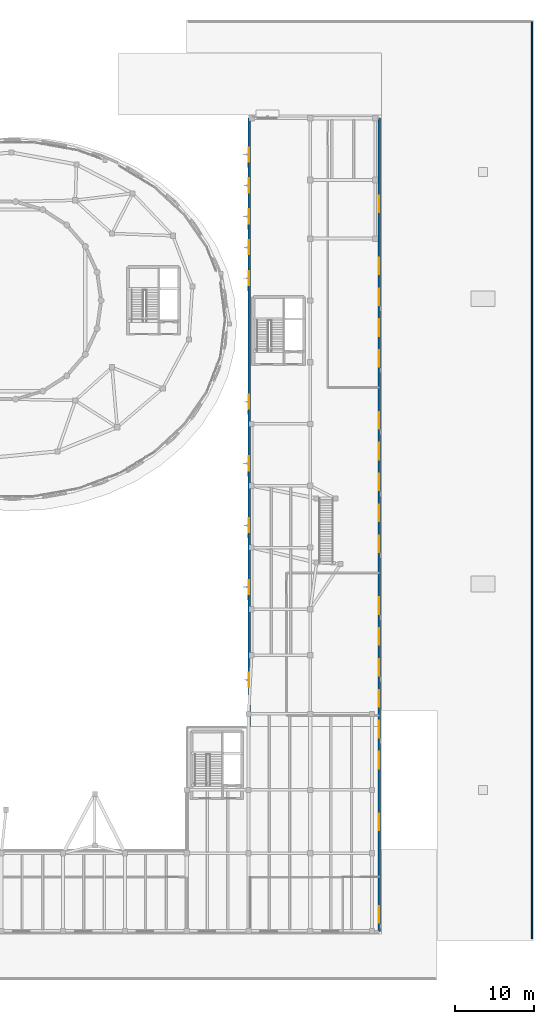
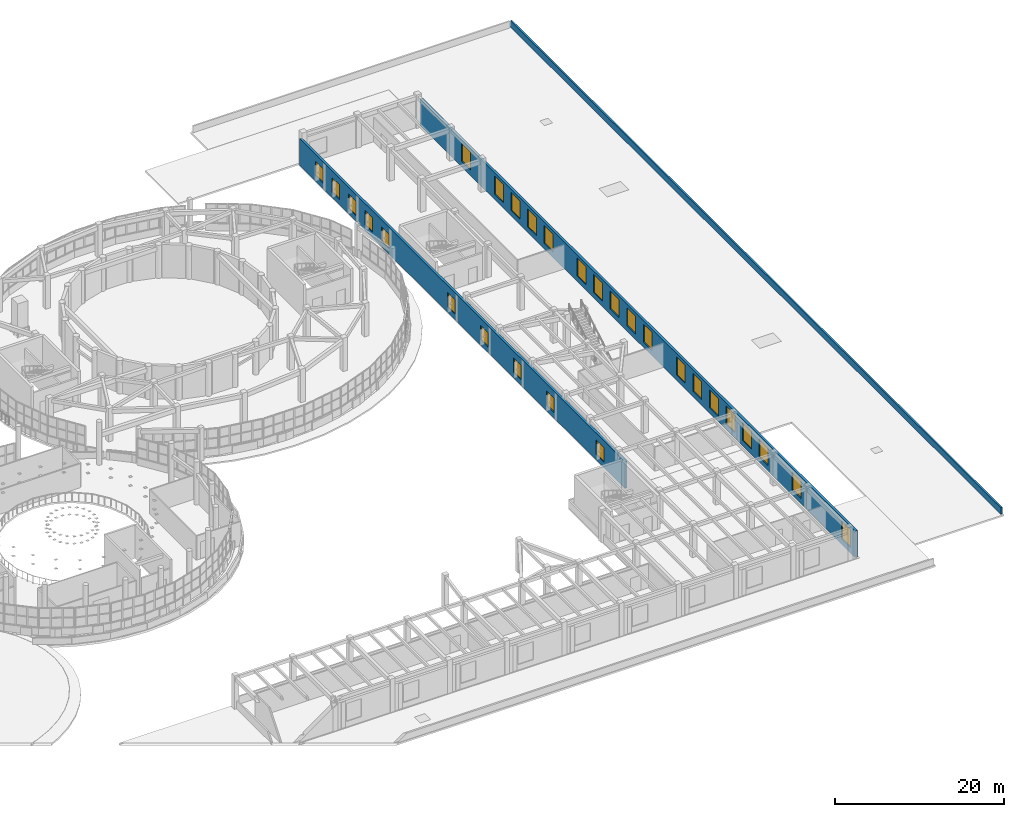
# One storey, part 95 of 105: 28 windows, 3 walls, 28 openings.
"""IFC4 building model written with IfcOpenShell, lengths in metres."""

from ifc_helpers import new_model, si_unit, direction, frame, frame_2d, origin, place, context, subcontext, project, spatial, rectangle, extrude, material, layer, layer_set, type_object, element, fill, save


model = new_model("IFC4")

# Units and contexts
model_context = context("Model", 3, precision=1e-05, world=origin(), true_north=direction((0.0, 1.0)))
body_context = subcontext(model_context, "Body", "Model", "MODEL_VIEW")
ifc_project = project(units=[si_unit("LENGTHUNIT", "METRE"), si_unit("AREAUNIT", "SQUARE_METRE"), si_unit("VOLUMEUNIT", "CUBIC_METRE"), si_unit("PLANEANGLEUNIT", "RADIAN"), si_unit("MASSUNIT", "GRAM", prefix="KILO")], contexts=[model_context])

# Site, building, storey
site_placement = place(None, origin())
site = spatial("IfcSite", under=ifc_project, at=site_placement, CompositionType="ELEMENT")
building_placement = place(site_placement, origin())
building = spatial("IfcBuilding", under=site, at=building_placement, Name="Pelvatis Terrace Science Centre", CompositionType="ELEMENT")
storey_placement = place(building_placement, frame((0.0, 0.0, 10.199951171875)))
storey = spatial("IfcBuildingStorey", under=building, at=storey_placement, Name="L02", CompositionType="ELEMENT", Elevation=10.199951171875)

# Wall, openings, windows
ifc_material_1 = material(Name="Precast concrete C35/45 architectural stone", Category="masonry")
ifc_layer_1 = layer(ifc_material_1, 0.31005859375)
ifc_layer_set_1 = layer_set([ifc_layer_1], Name="Precast concrete C35/45 architectural stone")
wall_type_1 = type_object("IfcWallType", Name="WL-EXT-PREC-310", PredefinedType="SOLIDWALL", material=ifc_layer_set_1)
wall_1_placement = place(storey_placement, frame((140.47998046875, 32.0, 0.0), z_axis=(0.0, 0.0, 1.0), x_axis=(0.0, 1.0, 0.0)))
wall_1 = element("IfcWall", 1, at=wall_1_placement, inside=storey, type_object=wall_type_1, Name="Exterior classical Art Deco facade wall EW-L02-W", PredefinedType="SOLIDWALL", context=body_context, shape_type="SweptSolid", body=[
    extrude(rectangle(XDim=76.800048828125, YDim=0.31005859375, at=frame_2d((38.39990234375, 0.0))), origin(), (0.0, 0.0, 1.0), 3.860107421875),
])
opening_1_placement = place(wall_1_placement, frame((5.0, 0.0, 0.780029296875)))
opening_1 = element("IfcOpeningElement", 2, at=opening_1_placement, cuts=wall_1, Name="Opening W-085", PredefinedType="OPENING", context=body_context, shape_type="SweptSolid", body=[
    extrude(rectangle(XDim=1.800048828125, YDim=2.10009765625, at=frame_2d((0.89990234375, 1.050048828125))), frame((0.0, 0.1650390625, 0.0), z_axis=(0.0, -1.0, 0.0), x_axis=(1.0, 0.0, 0.0)), (0.0, 0.0, 1.0), 0.330078125),
])
opening_2_placement = place(wall_1_placement, frame((16.699951171875, 0.0, 0.780029296875)))
opening_2 = element("IfcOpeningElement", 3, at=opening_2_placement, cuts=wall_1, Name="Opening W-086", PredefinedType="OPENING", context=body_context, shape_type="SweptSolid", body=[
    extrude(rectangle(XDim=1.800048828125, YDim=2.10009765625, at=frame_2d((0.89990234375, 1.050048828125))), frame((0.0, 0.1650390625, 0.0), z_axis=(0.0, -1.0, 0.0), x_axis=(1.0, 0.0, 0.0)), (0.0, 0.0, 1.0), 0.330078125),
])
opening_3_placement = place(wall_1_placement, frame((24.5, 0.0, 0.780029296875)))
opening_3 = element("IfcOpeningElement", 4, at=opening_3_placement, cuts=wall_1, Name="Opening W-087", PredefinedType="OPENING", context=body_context, shape_type="SweptSolid", body=[
    extrude(rectangle(XDim=1.800048828125, YDim=2.10009765625, at=frame_2d((0.89990234375, 1.050048828125))), frame((0.0, 0.1650390625, 0.0), z_axis=(0.0, -1.0, 0.0), x_axis=(1.0, 0.0, 0.0)), (0.0, 0.0, 1.0), 0.330078125),
])
opening_4_placement = place(wall_1_placement, frame((32.300048828125, 0.0, 0.780029296875)))
opening_4 = element("IfcOpeningElement", 5, at=opening_4_placement, cuts=wall_1, Name="Opening W-088", PredefinedType="OPENING", context=body_context, shape_type="SweptSolid", body=[
    extrude(rectangle(XDim=1.800048828125, YDim=2.10009765625, at=frame_2d((0.89990234375, 1.050048828125))), frame((0.0, 0.1650390625, 0.0), z_axis=(0.0, -1.0, 0.0), x_axis=(1.0, 0.0, 0.0)), (0.0, 0.0, 1.0), 0.330078125),
])
opening_5_placement = place(wall_1_placement, frame((40.10009765625, 0.0, 0.780029296875)))
opening_5 = element("IfcOpeningElement", 6, at=opening_5_placement, cuts=wall_1, Name="Opening W-089", PredefinedType="OPENING", context=body_context, shape_type="SweptSolid", body=[
    extrude(rectangle(XDim=1.800048828125, YDim=2.10009765625, at=frame_2d((0.89990234375, 1.050048828125))), frame((0.0, 0.1650390625, 0.0), z_axis=(0.0, -1.0, 0.0), x_axis=(1.0, 0.0, 0.0)), (0.0, 0.0, 1.0), 0.330078125),
])
opening_6_placement = place(wall_1_placement, frame((55.699951171875, 0.0, 0.780029296875)))
opening_6 = element("IfcOpeningElement", 7, at=opening_6_placement, cuts=wall_1, Name="Opening W-090", PredefinedType="OPENING", context=body_context, shape_type="SweptSolid", body=[
    extrude(rectangle(XDim=1.800048828125, YDim=2.10009765625, at=frame_2d((0.89990234375, 1.050048828125))), frame((0.0, 0.1650390625, 0.0), z_axis=(0.0, -1.0, 0.0), x_axis=(1.0, 0.0, 0.0)), (0.0, 0.0, 1.0), 0.330078125),
])
opening_7_placement = place(wall_1_placement, frame((59.60009765625, 0.0, 0.780029296875)))
opening_7 = element("IfcOpeningElement", 8, at=opening_7_placement, cuts=wall_1, Name="Opening W-091", PredefinedType="OPENING", context=body_context, shape_type="SweptSolid", body=[
    extrude(rectangle(XDim=1.800048828125, YDim=2.10009765625, at=frame_2d((0.89990234375, 1.050048828125))), frame((0.0, 0.1650390625, 0.0), z_axis=(0.0, -1.0, 0.0), x_axis=(1.0, 0.0, 0.0)), (0.0, 0.0, 1.0), 0.330078125),
])
opening_8_placement = place(wall_1_placement, frame((63.5, 0.0, 0.780029296875)))
opening_8 = element("IfcOpeningElement", 9, at=opening_8_placement, cuts=wall_1, Name="Opening W-092", PredefinedType="OPENING", context=body_context, shape_type="SweptSolid", body=[
    extrude(rectangle(XDim=1.800048828125, YDim=2.10009765625, at=frame_2d((0.89990234375, 1.050048828125))), frame((0.0, 0.1650390625, 0.0), z_axis=(0.0, -1.0, 0.0), x_axis=(1.0, 0.0, 0.0)), (0.0, 0.0, 1.0), 0.330078125),
])
opening_9_placement = place(wall_1_placement, frame((67.39990234375, 0.0, 0.780029296875)))
opening_9 = element("IfcOpeningElement", 10, at=opening_9_placement, cuts=wall_1, Name="Opening W-093", PredefinedType="OPENING", context=body_context, shape_type="SweptSolid", body=[
    extrude(rectangle(XDim=1.800048828125, YDim=2.10009765625, at=frame_2d((0.89990234375, 1.050048828125))), frame((0.0, 0.1650390625, 0.0), z_axis=(0.0, -1.0, 0.0), x_axis=(1.0, 0.0, 0.0)), (0.0, 0.0, 1.0), 0.330078125),
])
opening_10_placement = place(wall_1_placement, frame((71.300048828125, 0.0, 0.780029296875)))
opening_10 = element("IfcOpeningElement", 11, at=opening_10_placement, cuts=wall_1, Name="Opening W-094", PredefinedType="OPENING", context=body_context, shape_type="SweptSolid", body=[
    extrude(rectangle(XDim=1.800048828125, YDim=2.10009765625, at=frame_2d((0.89990234375, 1.050048828125))), frame((0.0, 0.1650390625, 0.0), z_axis=(0.0, -1.0, 0.0), x_axis=(1.0, 0.0, 0.0)), (0.0, 0.0, 1.0), 0.330078125),
])
ifc_material_2 = material(Name="Bronze-anodised aluminium and laminated low-e glass", Category="aluminium")
window_type_1 = type_object("IfcWindowType", Name="WIN-LAB-1800x2100", PartitioningType="SINGLE_PANEL", PredefinedType="WINDOW", material=ifc_material_2)
window_1_placement = place(opening_1_placement, origin())
window_1 = element("IfcWindow", 12, at=window_1_placement, inside=storey, type_object=window_type_1, Name="Art Deco facade window W-085 (L02)", OverallHeight=2.10009765625, OverallWidth=1.800048828125, PartitioningType="SINGLE_PANEL", PredefinedType="WINDOW", context=body_context, shape_type="SweptSolid", body=[
    extrude(rectangle(XDim=1.800048828125, YDim=2.10009765625, at=frame_2d((0.89990234375, 1.050048828125))), frame((0.0, 0.030029296875, 0.0), z_axis=(0.0, -1.0, 0.0), x_axis=(1.0, 0.0, 0.0)), (0.0, 0.0, 1.0), 0.06005859375),
])
fill(opening_1, window_1)
window_2_placement = place(opening_2_placement, origin())
window_2 = element("IfcWindow", 13, at=window_2_placement, inside=storey, type_object=window_type_1, Name="Art Deco facade window W-086 (L02)", OverallHeight=2.10009765625, OverallWidth=1.800048828125, PartitioningType="SINGLE_PANEL", PredefinedType="WINDOW", context=body_context, shape_type="SweptSolid", body=[
    extrude(rectangle(XDim=1.800048828125, YDim=2.10009765625, at=frame_2d((0.89990234375, 1.050048828125))), frame((0.0, 0.030029296875, 0.0), z_axis=(0.0, -1.0, 0.0), x_axis=(1.0, 0.0, 0.0)), (0.0, 0.0, 1.0), 0.06005859375),
])
fill(opening_2, window_2)
window_3_placement = place(opening_3_placement, origin())
window_3 = element("IfcWindow", 14, at=window_3_placement, inside=storey, type_object=window_type_1, Name="Art Deco facade window W-087 (L02)", OverallHeight=2.10009765625, OverallWidth=1.800048828125, PartitioningType="SINGLE_PANEL", PredefinedType="WINDOW", context=body_context, shape_type="SweptSolid", body=[
    extrude(rectangle(XDim=1.800048828125, YDim=2.10009765625, at=frame_2d((0.89990234375, 1.050048828125))), frame((0.0, 0.030029296875, 0.0), z_axis=(0.0, -1.0, 0.0), x_axis=(1.0, 0.0, 0.0)), (0.0, 0.0, 1.0), 0.06005859375),
])
fill(opening_3, window_3)
window_4_placement = place(opening_4_placement, origin())
window_4 = element("IfcWindow", 15, at=window_4_placement, inside=storey, type_object=window_type_1, Name="Art Deco facade window W-088 (L02)", OverallHeight=2.10009765625, OverallWidth=1.800048828125, PartitioningType="SINGLE_PANEL", PredefinedType="WINDOW", context=body_context, shape_type="SweptSolid", body=[
    extrude(rectangle(XDim=1.800048828125, YDim=2.10009765625, at=frame_2d((0.89990234375, 1.050048828125))), frame((0.0, 0.030029296875, 0.0), z_axis=(0.0, -1.0, 0.0), x_axis=(1.0, 0.0, 0.0)), (0.0, 0.0, 1.0), 0.06005859375),
])
fill(opening_4, window_4)
window_5_placement = place(opening_5_placement, origin())
window_5 = element("IfcWindow", 16, at=window_5_placement, inside=storey, type_object=window_type_1, Name="Art Deco facade window W-089 (L02)", OverallHeight=2.10009765625, OverallWidth=1.800048828125, PartitioningType="SINGLE_PANEL", PredefinedType="WINDOW", context=body_context, shape_type="SweptSolid", body=[
    extrude(rectangle(XDim=1.800048828125, YDim=2.10009765625, at=frame_2d((0.89990234375, 1.050048828125))), frame((0.0, 0.030029296875, 0.0), z_axis=(0.0, -1.0, 0.0), x_axis=(1.0, 0.0, 0.0)), (0.0, 0.0, 1.0), 0.06005859375),
])
fill(opening_5, window_5)
window_6_placement = place(opening_6_placement, origin())
window_6 = element("IfcWindow", 17, at=window_6_placement, inside=storey, type_object=window_type_1, Name="Art Deco facade window W-090 (L02)", OverallHeight=2.10009765625, OverallWidth=1.800048828125, PartitioningType="SINGLE_PANEL", PredefinedType="WINDOW", context=body_context, shape_type="SweptSolid", body=[
    extrude(rectangle(XDim=1.800048828125, YDim=2.10009765625, at=frame_2d((0.89990234375, 1.050048828125))), frame((0.0, 0.030029296875, 0.0), z_axis=(0.0, -1.0, 0.0), x_axis=(1.0, 0.0, 0.0)), (0.0, 0.0, 1.0), 0.06005859375),
])
fill(opening_6, window_6)
window_7_placement = place(opening_7_placement, origin())
window_7 = element("IfcWindow", 18, at=window_7_placement, inside=storey, type_object=window_type_1, Name="Art Deco facade window W-091 (L02)", OverallHeight=2.10009765625, OverallWidth=1.800048828125, PartitioningType="SINGLE_PANEL", PredefinedType="WINDOW", context=body_context, shape_type="SweptSolid", body=[
    extrude(rectangle(XDim=1.800048828125, YDim=2.10009765625, at=frame_2d((0.89990234375, 1.050048828125))), frame((0.0, 0.030029296875, 0.0), z_axis=(0.0, -1.0, 0.0), x_axis=(1.0, 0.0, 0.0)), (0.0, 0.0, 1.0), 0.06005859375),
])
fill(opening_7, window_7)
window_8_placement = place(opening_8_placement, origin())
window_8 = element("IfcWindow", 19, at=window_8_placement, inside=storey, type_object=window_type_1, Name="Art Deco facade window W-092 (L02)", OverallHeight=2.10009765625, OverallWidth=1.800048828125, PartitioningType="SINGLE_PANEL", PredefinedType="WINDOW", context=body_context, shape_type="SweptSolid", body=[
    extrude(rectangle(XDim=1.800048828125, YDim=2.10009765625, at=frame_2d((0.89990234375, 1.050048828125))), frame((0.0, 0.030029296875, 0.0), z_axis=(0.0, -1.0, 0.0), x_axis=(1.0, 0.0, 0.0)), (0.0, 0.0, 1.0), 0.06005859375),
])
fill(opening_8, window_8)
window_9_placement = place(opening_9_placement, origin())
window_9 = element("IfcWindow", 20, at=window_9_placement, inside=storey, type_object=window_type_1, Name="Art Deco facade window W-093 (L02)", OverallHeight=2.10009765625, OverallWidth=1.800048828125, PartitioningType="SINGLE_PANEL", PredefinedType="WINDOW", context=body_context, shape_type="SweptSolid", body=[
    extrude(rectangle(XDim=1.800048828125, YDim=2.10009765625, at=frame_2d((0.89990234375, 1.050048828125))), frame((0.0, 0.030029296875, 0.0), z_axis=(0.0, -1.0, 0.0), x_axis=(1.0, 0.0, 0.0)), (0.0, 0.0, 1.0), 0.06005859375),
])
fill(opening_9, window_9)
window_10_placement = place(opening_10_placement, origin())
window_10 = element("IfcWindow", 21, at=window_10_placement, inside=storey, type_object=window_type_1, Name="Art Deco facade window W-094 (L02)", OverallHeight=2.10009765625, OverallWidth=1.800048828125, PartitioningType="SINGLE_PANEL", PredefinedType="WINDOW", context=body_context, shape_type="SweptSolid", body=[
    extrude(rectangle(XDim=1.800048828125, YDim=2.10009765625, at=frame_2d((0.89990234375, 1.050048828125))), frame((0.0, 0.030029296875, 0.0), z_axis=(0.0, -1.0, 0.0), x_axis=(1.0, 0.0, 0.0)), (0.0, 0.0, 1.0), 0.06005859375),
])
fill(opening_10, window_10)

ifc_material_3 = material(Name="Precast concrete C35/45 architectural stone", Category="masonry")
ifc_layer_2 = layer(ifc_material_3, 0.324951171875)
ifc_layer_set_2 = layer_set([ifc_layer_2], Name="Precast concrete C35/45 architectural stone")
wall_type_2 = type_object("IfcWallType", Name="WL-EXT-PREC-325", PredefinedType="SOLIDWALL", material=ifc_layer_set_2)
wall_2_placement = place(storey_placement, frame((156.89990234375, 6.10009765625, 0.0), z_axis=(0.0, 0.0, 1.0), x_axis=(0.0, 1.0, 0.0)))
wall_2 = element("IfcWall", 22, at=wall_2_placement, inside=storey, type_object=wall_type_2, Name="Exterior classical Art Deco facade wall EW-L02-E", PredefinedType="SOLIDWALL", context=body_context, shape_type="SweptSolid", body=[
    extrude(rectangle(XDim=102.699951171875, YDim=0.324951171875, at=frame_2d((51.35009765625, 0.0))), origin(), (0.0, 0.0, 1.0), 3.860107421875),
])
opening_11_placement = place(wall_2_placement, frame((1.10009765625, 0.0, 0.780029296875)))
opening_11 = element("IfcOpeningElement", 23, at=opening_11_placement, cuts=wall_2, Name="Opening W-066", PredefinedType="OPENING", context=body_context, shape_type="SweptSolid", body=[
    extrude(rectangle(XDim=2.10009765625, YDim=2.60009765625, at=frame_2d((1.050048828125, 1.300048828125))), frame((0.0, 0.17236328125, 0.0), z_axis=(0.0, -1.0, 0.0), x_axis=(1.0, 0.0, 0.0)), (0.0, 0.0, 1.0), 0.344970703125),
])
opening_12_placement = place(wall_2_placement, frame((12.800048828125, 0.0, 0.780029296875)))
opening_12 = element("IfcOpeningElement", 24, at=opening_12_placement, cuts=wall_2, Name="Opening W-067", PredefinedType="OPENING", context=body_context, shape_type="SweptSolid", body=[
    extrude(rectangle(XDim=2.10009765625, YDim=2.60009765625, at=frame_2d((1.050048828125, 1.300048828125))), frame((0.0, 0.17236328125, 0.0), z_axis=(0.0, -1.0, 0.0), x_axis=(1.0, 0.0, 0.0)), (0.0, 0.0, 1.0), 0.344970703125),
])
opening_13_placement = place(wall_2_placement, frame((20.60009765625, 0.0, 0.780029296875)))
opening_13 = element("IfcOpeningElement", 25, at=opening_13_placement, cuts=wall_2, Name="Opening W-068", PredefinedType="OPENING", context=body_context, shape_type="SweptSolid", body=[
    extrude(rectangle(XDim=2.10009765625, YDim=2.60009765625, at=frame_2d((1.050048828125, 1.300048828125))), frame((0.0, 0.17236328125, 0.0), z_axis=(0.0, -1.0, 0.0), x_axis=(1.0, 0.0, 0.0)), (0.0, 0.0, 1.0), 0.344970703125),
])
opening_14_placement = place(wall_2_placement, frame((24.5, 0.0, 0.780029296875)))
opening_14 = element("IfcOpeningElement", 26, at=opening_14_placement, cuts=wall_2, Name="Opening W-069", PredefinedType="OPENING", context=body_context, shape_type="SweptSolid", body=[
    extrude(rectangle(XDim=2.10009765625, YDim=2.60009765625, at=frame_2d((1.050048828125, 1.300048828125))), frame((0.0, 0.17236328125, 0.0), z_axis=(0.0, -1.0, 0.0), x_axis=(1.0, 0.0, 0.0)), (0.0, 0.0, 1.0), 0.344970703125),
])
opening_15_placement = place(wall_2_placement, frame((28.39990234375, 0.0, 0.780029296875)))
opening_15 = element("IfcOpeningElement", 27, at=opening_15_placement, cuts=wall_2, Name="Opening W-070", PredefinedType="OPENING", context=body_context, shape_type="SweptSolid", body=[
    extrude(rectangle(XDim=2.10009765625, YDim=2.60009765625, at=frame_2d((1.050048828125, 1.300048828125))), frame((0.0, 0.17236328125, 0.0), z_axis=(0.0, -1.0, 0.0), x_axis=(1.0, 0.0, 0.0)), (0.0, 0.0, 1.0), 0.344970703125),
])
opening_16_placement = place(wall_2_placement, frame((32.300048828125, 0.0, 0.780029296875)))
opening_16 = element("IfcOpeningElement", 28, at=opening_16_placement, cuts=wall_2, Name="Opening W-071", PredefinedType="OPENING", context=body_context, shape_type="SweptSolid", body=[
    extrude(rectangle(XDim=2.10009765625, YDim=2.60009765625, at=frame_2d((1.050048828125, 1.300048828125))), frame((0.0, 0.17236328125, 0.0), z_axis=(0.0, -1.0, 0.0), x_axis=(1.0, 0.0, 0.0)), (0.0, 0.0, 1.0), 0.344970703125),
])
opening_17_placement = place(wall_2_placement, frame((36.199951171875, 0.0, 0.780029296875)))
opening_17 = element("IfcOpeningElement", 29, at=opening_17_placement, cuts=wall_2, Name="Opening W-072", PredefinedType="OPENING", context=body_context, shape_type="SweptSolid", body=[
    extrude(rectangle(XDim=2.10009765625, YDim=2.60009765625, at=frame_2d((1.050048828125, 1.300048828125))), frame((0.0, 0.17236328125, 0.0), z_axis=(0.0, -1.0, 0.0), x_axis=(1.0, 0.0, 0.0)), (0.0, 0.0, 1.0), 0.344970703125),
])
opening_18_placement = place(wall_2_placement, frame((40.10009765625, 0.0, 0.780029296875)))
opening_18 = element("IfcOpeningElement", 30, at=opening_18_placement, cuts=wall_2, Name="Opening W-073", PredefinedType="OPENING", context=body_context, shape_type="SweptSolid", body=[
    extrude(rectangle(XDim=2.10009765625, YDim=2.60009765625, at=frame_2d((1.050048828125, 1.300048828125))), frame((0.0, 0.17236328125, 0.0), z_axis=(0.0, -1.0, 0.0), x_axis=(1.0, 0.0, 0.0)), (0.0, 0.0, 1.0), 0.344970703125),
])
opening_19_placement = place(wall_2_placement, frame((47.89990234375, 0.0, 0.780029296875)))
opening_19 = element("IfcOpeningElement", 31, at=opening_19_placement, cuts=wall_2, Name="Opening W-074", PredefinedType="OPENING", context=body_context, shape_type="SweptSolid", body=[
    extrude(rectangle(XDim=2.10009765625, YDim=2.60009765625, at=frame_2d((1.050048828125, 1.300048828125))), frame((0.0, 0.17236328125, 0.0), z_axis=(0.0, -1.0, 0.0), x_axis=(1.0, 0.0, 0.0)), (0.0, 0.0, 1.0), 0.344970703125),
])
opening_20_placement = place(wall_2_placement, frame((51.800048828125, 0.0, 0.780029296875)))
opening_20 = element("IfcOpeningElement", 32, at=opening_20_placement, cuts=wall_2, Name="Opening W-075", PredefinedType="OPENING", context=body_context, shape_type="SweptSolid", body=[
    extrude(rectangle(XDim=2.10009765625, YDim=2.60009765625, at=frame_2d((1.050048828125, 1.300048828125))), frame((0.0, 0.17236328125, 0.0), z_axis=(0.0, -1.0, 0.0), x_axis=(1.0, 0.0, 0.0)), (0.0, 0.0, 1.0), 0.344970703125),
])
opening_21_placement = place(wall_2_placement, frame((55.699951171875, 0.0, 0.780029296875)))
opening_21 = element("IfcOpeningElement", 33, at=opening_21_placement, cuts=wall_2, Name="Opening W-076", PredefinedType="OPENING", context=body_context, shape_type="SweptSolid", body=[
    extrude(rectangle(XDim=2.10009765625, YDim=2.60009765625, at=frame_2d((1.050048828125, 1.300048828125))), frame((0.0, 0.17236328125, 0.0), z_axis=(0.0, -1.0, 0.0), x_axis=(1.0, 0.0, 0.0)), (0.0, 0.0, 1.0), 0.344970703125),
])
opening_22_placement = place(wall_2_placement, frame((59.60009765625, 0.0, 0.780029296875)))
opening_22 = element("IfcOpeningElement", 34, at=opening_22_placement, cuts=wall_2, Name="Opening W-077", PredefinedType="OPENING", context=body_context, shape_type="SweptSolid", body=[
    extrude(rectangle(XDim=2.10009765625, YDim=2.60009765625, at=frame_2d((1.050048828125, 1.300048828125))), frame((0.0, 0.17236328125, 0.0), z_axis=(0.0, -1.0, 0.0), x_axis=(1.0, 0.0, 0.0)), (0.0, 0.0, 1.0), 0.344970703125),
])
opening_23_placement = place(wall_2_placement, frame((63.5, 0.0, 0.780029296875)))
opening_23 = element("IfcOpeningElement", 35, at=opening_23_placement, cuts=wall_2, Name="Opening W-078", PredefinedType="OPENING", context=body_context, shape_type="SweptSolid", body=[
    extrude(rectangle(XDim=2.10009765625, YDim=2.60009765625, at=frame_2d((1.050048828125, 1.300048828125))), frame((0.0, 0.17236328125, 0.0), z_axis=(0.0, -1.0, 0.0), x_axis=(1.0, 0.0, 0.0)), (0.0, 0.0, 1.0), 0.344970703125),
])
opening_24_placement = place(wall_2_placement, frame((71.300048828125, 0.0, 0.780029296875)))
opening_24 = element("IfcOpeningElement", 36, at=opening_24_placement, cuts=wall_2, Name="Opening W-079", PredefinedType="OPENING", context=body_context, shape_type="SweptSolid", body=[
    extrude(rectangle(XDim=2.10009765625, YDim=2.60009765625, at=frame_2d((1.050048828125, 1.300048828125))), frame((0.0, 0.17236328125, 0.0), z_axis=(0.0, -1.0, 0.0), x_axis=(1.0, 0.0, 0.0)), (0.0, 0.0, 1.0), 0.344970703125),
])
opening_25_placement = place(wall_2_placement, frame((75.199951171875, 0.0, 0.780029296875)))
opening_25 = element("IfcOpeningElement", 37, at=opening_25_placement, cuts=wall_2, Name="Opening W-080", PredefinedType="OPENING", context=body_context, shape_type="SweptSolid", body=[
    extrude(rectangle(XDim=2.10009765625, YDim=2.60009765625, at=frame_2d((1.050048828125, 1.300048828125))), frame((0.0, 0.17236328125, 0.0), z_axis=(0.0, -1.0, 0.0), x_axis=(1.0, 0.0, 0.0)), (0.0, 0.0, 1.0), 0.344970703125),
])
opening_26_placement = place(wall_2_placement, frame((79.10009765625, 0.0, 0.780029296875)))
opening_26 = element("IfcOpeningElement", 38, at=opening_26_placement, cuts=wall_2, Name="Opening W-081", PredefinedType="OPENING", context=body_context, shape_type="SweptSolid", body=[
    extrude(rectangle(XDim=2.10009765625, YDim=2.60009765625, at=frame_2d((1.050048828125, 1.300048828125))), frame((0.0, 0.17236328125, 0.0), z_axis=(0.0, -1.0, 0.0), x_axis=(1.0, 0.0, 0.0)), (0.0, 0.0, 1.0), 0.344970703125),
])
opening_27_placement = place(wall_2_placement, frame((83.0, 0.0, 0.780029296875)))
opening_27 = element("IfcOpeningElement", 39, at=opening_27_placement, cuts=wall_2, Name="Opening W-082", PredefinedType="OPENING", context=body_context, shape_type="SweptSolid", body=[
    extrude(rectangle(XDim=2.10009765625, YDim=2.60009765625, at=frame_2d((1.050048828125, 1.300048828125))), frame((0.0, 0.17236328125, 0.0), z_axis=(0.0, -1.0, 0.0), x_axis=(1.0, 0.0, 0.0)), (0.0, 0.0, 1.0), 0.344970703125),
])
opening_28_placement = place(wall_2_placement, frame((90.800048828125, 0.0, 0.780029296875)))
opening_28 = element("IfcOpeningElement", 40, at=opening_28_placement, cuts=wall_2, Name="Opening W-083", PredefinedType="OPENING", context=body_context, shape_type="SweptSolid", body=[
    extrude(rectangle(XDim=2.10009765625, YDim=2.60009765625, at=frame_2d((1.050048828125, 1.300048828125))), frame((0.0, 0.17236328125, 0.0), z_axis=(0.0, -1.0, 0.0), x_axis=(1.0, 0.0, 0.0)), (0.0, 0.0, 1.0), 0.344970703125),
])
ifc_material_4 = material(Name="Bronze-anodised aluminium and laminated low-e glass", Category="aluminium")
window_type_2 = type_object("IfcWindowType", Name="WIN-AD-2100x2600", PartitioningType="SINGLE_PANEL", PredefinedType="WINDOW", material=ifc_material_4)
window_11_placement = place(opening_11_placement, origin())
window_11 = element("IfcWindow", 41, at=window_11_placement, inside=storey, type_object=window_type_2, Name="Art Deco facade window W-066 (L02)", OverallHeight=2.60009765625, OverallWidth=2.10009765625, PartitioningType="SINGLE_PANEL", PredefinedType="WINDOW", context=body_context, shape_type="SweptSolid", body=[
    extrude(rectangle(XDim=2.10009765625, YDim=2.60009765625, at=frame_2d((1.050048828125, 1.300048828125))), frame((0.0, 0.030029296875, 0.0), z_axis=(0.0, -1.0, 0.0), x_axis=(1.0, 0.0, 0.0)), (0.0, 0.0, 1.0), 0.06005859375),
])
fill(opening_11, window_11)
window_12_placement = place(opening_12_placement, origin())
window_12 = element("IfcWindow", 42, at=window_12_placement, inside=storey, type_object=window_type_2, Name="Art Deco facade window W-067 (L02)", OverallHeight=2.60009765625, OverallWidth=2.10009765625, PartitioningType="SINGLE_PANEL", PredefinedType="WINDOW", context=body_context, shape_type="SweptSolid", body=[
    extrude(rectangle(XDim=2.10009765625, YDim=2.60009765625, at=frame_2d((1.050048828125, 1.300048828125))), frame((0.0, 0.030029296875, 0.0), z_axis=(0.0, -1.0, 0.0), x_axis=(1.0, 0.0, 0.0)), (0.0, 0.0, 1.0), 0.06005859375),
])
fill(opening_12, window_12)
window_13_placement = place(opening_13_placement, origin())
window_13 = element("IfcWindow", 43, at=window_13_placement, inside=storey, type_object=window_type_2, Name="Art Deco facade window W-068 (L02)", OverallHeight=2.60009765625, OverallWidth=2.10009765625, PartitioningType="SINGLE_PANEL", PredefinedType="WINDOW", context=body_context, shape_type="SweptSolid", body=[
    extrude(rectangle(XDim=2.10009765625, YDim=2.60009765625, at=frame_2d((1.050048828125, 1.300048828125))), frame((0.0, 0.030029296875, 0.0), z_axis=(0.0, -1.0, 0.0), x_axis=(1.0, 0.0, 0.0)), (0.0, 0.0, 1.0), 0.06005859375),
])
fill(opening_13, window_13)
window_14_placement = place(opening_14_placement, origin())
window_14 = element("IfcWindow", 44, at=window_14_placement, inside=storey, type_object=window_type_2, Name="Art Deco facade window W-069 (L02)", OverallHeight=2.60009765625, OverallWidth=2.10009765625, PartitioningType="SINGLE_PANEL", PredefinedType="WINDOW", context=body_context, shape_type="SweptSolid", body=[
    extrude(rectangle(XDim=2.10009765625, YDim=2.60009765625, at=frame_2d((1.050048828125, 1.300048828125))), frame((0.0, 0.030029296875, 0.0), z_axis=(0.0, -1.0, 0.0), x_axis=(1.0, 0.0, 0.0)), (0.0, 0.0, 1.0), 0.06005859375),
])
fill(opening_14, window_14)
window_15_placement = place(opening_15_placement, origin())
window_15 = element("IfcWindow", 45, at=window_15_placement, inside=storey, type_object=window_type_2, Name="Art Deco facade window W-070 (L02)", OverallHeight=2.60009765625, OverallWidth=2.10009765625, PartitioningType="SINGLE_PANEL", PredefinedType="WINDOW", context=body_context, shape_type="SweptSolid", body=[
    extrude(rectangle(XDim=2.10009765625, YDim=2.60009765625, at=frame_2d((1.050048828125, 1.300048828125))), frame((0.0, 0.030029296875, 0.0), z_axis=(0.0, -1.0, 0.0), x_axis=(1.0, 0.0, 0.0)), (0.0, 0.0, 1.0), 0.06005859375),
])
fill(opening_15, window_15)
window_16_placement = place(opening_16_placement, origin())
window_16 = element("IfcWindow", 46, at=window_16_placement, inside=storey, type_object=window_type_2, Name="Art Deco facade window W-071 (L02)", OverallHeight=2.60009765625, OverallWidth=2.10009765625, PartitioningType="SINGLE_PANEL", PredefinedType="WINDOW", context=body_context, shape_type="SweptSolid", body=[
    extrude(rectangle(XDim=2.10009765625, YDim=2.60009765625, at=frame_2d((1.050048828125, 1.300048828125))), frame((0.0, 0.030029296875, 0.0), z_axis=(0.0, -1.0, 0.0), x_axis=(1.0, 0.0, 0.0)), (0.0, 0.0, 1.0), 0.06005859375),
])
fill(opening_16, window_16)
window_17_placement = place(opening_17_placement, origin())
window_17 = element("IfcWindow", 47, at=window_17_placement, inside=storey, type_object=window_type_2, Name="Art Deco facade window W-072 (L02)", OverallHeight=2.60009765625, OverallWidth=2.10009765625, PartitioningType="SINGLE_PANEL", PredefinedType="WINDOW", context=body_context, shape_type="SweptSolid", body=[
    extrude(rectangle(XDim=2.10009765625, YDim=2.60009765625, at=frame_2d((1.050048828125, 1.300048828125))), frame((0.0, 0.030029296875, 0.0), z_axis=(0.0, -1.0, 0.0), x_axis=(1.0, 0.0, 0.0)), (0.0, 0.0, 1.0), 0.06005859375),
])
fill(opening_17, window_17)
window_18_placement = place(opening_18_placement, origin())
window_18 = element("IfcWindow", 48, at=window_18_placement, inside=storey, type_object=window_type_2, Name="Art Deco facade window W-073 (L02)", OverallHeight=2.60009765625, OverallWidth=2.10009765625, PartitioningType="SINGLE_PANEL", PredefinedType="WINDOW", context=body_context, shape_type="SweptSolid", body=[
    extrude(rectangle(XDim=2.10009765625, YDim=2.60009765625, at=frame_2d((1.050048828125, 1.300048828125))), frame((0.0, 0.030029296875, 0.0), z_axis=(0.0, -1.0, 0.0), x_axis=(1.0, 0.0, 0.0)), (0.0, 0.0, 1.0), 0.06005859375),
])
fill(opening_18, window_18)
window_19_placement = place(opening_19_placement, origin())
window_19 = element("IfcWindow", 49, at=window_19_placement, inside=storey, type_object=window_type_2, Name="Art Deco facade window W-074 (L02)", OverallHeight=2.60009765625, OverallWidth=2.10009765625, PartitioningType="SINGLE_PANEL", PredefinedType="WINDOW", context=body_context, shape_type="SweptSolid", body=[
    extrude(rectangle(XDim=2.10009765625, YDim=2.60009765625, at=frame_2d((1.050048828125, 1.300048828125))), frame((0.0, 0.030029296875, 0.0), z_axis=(0.0, -1.0, 0.0), x_axis=(1.0, 0.0, 0.0)), (0.0, 0.0, 1.0), 0.06005859375),
])
fill(opening_19, window_19)
window_20_placement = place(opening_20_placement, origin())
window_20 = element("IfcWindow", 50, at=window_20_placement, inside=storey, type_object=window_type_2, Name="Art Deco facade window W-075 (L02)", OverallHeight=2.60009765625, OverallWidth=2.10009765625, PartitioningType="SINGLE_PANEL", PredefinedType="WINDOW", context=body_context, shape_type="SweptSolid", body=[
    extrude(rectangle(XDim=2.10009765625, YDim=2.60009765625, at=frame_2d((1.050048828125, 1.300048828125))), frame((0.0, 0.030029296875, 0.0), z_axis=(0.0, -1.0, 0.0), x_axis=(1.0, 0.0, 0.0)), (0.0, 0.0, 1.0), 0.06005859375),
])
fill(opening_20, window_20)
window_21_placement = place(opening_21_placement, origin())
window_21 = element("IfcWindow", 51, at=window_21_placement, inside=storey, type_object=window_type_2, Name="Art Deco facade window W-076 (L02)", OverallHeight=2.60009765625, OverallWidth=2.10009765625, PartitioningType="SINGLE_PANEL", PredefinedType="WINDOW", context=body_context, shape_type="SweptSolid", body=[
    extrude(rectangle(XDim=2.10009765625, YDim=2.60009765625, at=frame_2d((1.050048828125, 1.300048828125))), frame((0.0, 0.030029296875, 0.0), z_axis=(0.0, -1.0, 0.0), x_axis=(1.0, 0.0, 0.0)), (0.0, 0.0, 1.0), 0.06005859375),
])
fill(opening_21, window_21)
window_22_placement = place(opening_22_placement, origin())
window_22 = element("IfcWindow", 52, at=window_22_placement, inside=storey, type_object=window_type_2, Name="Art Deco facade window W-077 (L02)", OverallHeight=2.60009765625, OverallWidth=2.10009765625, PartitioningType="SINGLE_PANEL", PredefinedType="WINDOW", context=body_context, shape_type="SweptSolid", body=[
    extrude(rectangle(XDim=2.10009765625, YDim=2.60009765625, at=frame_2d((1.050048828125, 1.300048828125))), frame((0.0, 0.030029296875, 0.0), z_axis=(0.0, -1.0, 0.0), x_axis=(1.0, 0.0, 0.0)), (0.0, 0.0, 1.0), 0.06005859375),
])
fill(opening_22, window_22)
window_23_placement = place(opening_23_placement, origin())
window_23 = element("IfcWindow", 53, at=window_23_placement, inside=storey, type_object=window_type_2, Name="Art Deco facade window W-078 (L02)", OverallHeight=2.60009765625, OverallWidth=2.10009765625, PartitioningType="SINGLE_PANEL", PredefinedType="WINDOW", context=body_context, shape_type="SweptSolid", body=[
    extrude(rectangle(XDim=2.10009765625, YDim=2.60009765625, at=frame_2d((1.050048828125, 1.300048828125))), frame((0.0, 0.030029296875, 0.0), z_axis=(0.0, -1.0, 0.0), x_axis=(1.0, 0.0, 0.0)), (0.0, 0.0, 1.0), 0.06005859375),
])
fill(opening_23, window_23)
window_24_placement = place(opening_24_placement, origin())
window_24 = element("IfcWindow", 54, at=window_24_placement, inside=storey, type_object=window_type_2, Name="Art Deco facade window W-079 (L02)", OverallHeight=2.60009765625, OverallWidth=2.10009765625, PartitioningType="SINGLE_PANEL", PredefinedType="WINDOW", context=body_context, shape_type="SweptSolid", body=[
    extrude(rectangle(XDim=2.10009765625, YDim=2.60009765625, at=frame_2d((1.050048828125, 1.300048828125))), frame((0.0, 0.030029296875, 0.0), z_axis=(0.0, -1.0, 0.0), x_axis=(1.0, 0.0, 0.0)), (0.0, 0.0, 1.0), 0.06005859375),
])
fill(opening_24, window_24)
window_25_placement = place(opening_25_placement, origin())
window_25 = element("IfcWindow", 55, at=window_25_placement, inside=storey, type_object=window_type_2, Name="Art Deco facade window W-080 (L02)", OverallHeight=2.60009765625, OverallWidth=2.10009765625, PartitioningType="SINGLE_PANEL", PredefinedType="WINDOW", context=body_context, shape_type="SweptSolid", body=[
    extrude(rectangle(XDim=2.10009765625, YDim=2.60009765625, at=frame_2d((1.050048828125, 1.300048828125))), frame((0.0, 0.030029296875, 0.0), z_axis=(0.0, -1.0, 0.0), x_axis=(1.0, 0.0, 0.0)), (0.0, 0.0, 1.0), 0.06005859375),
])
fill(opening_25, window_25)
window_26_placement = place(opening_26_placement, origin())
window_26 = element("IfcWindow", 56, at=window_26_placement, inside=storey, type_object=window_type_2, Name="Art Deco facade window W-081 (L02)", OverallHeight=2.60009765625, OverallWidth=2.10009765625, PartitioningType="SINGLE_PANEL", PredefinedType="WINDOW", context=body_context, shape_type="SweptSolid", body=[
    extrude(rectangle(XDim=2.10009765625, YDim=2.60009765625, at=frame_2d((1.050048828125, 1.300048828125))), frame((0.0, 0.030029296875, 0.0), z_axis=(0.0, -1.0, 0.0), x_axis=(1.0, 0.0, 0.0)), (0.0, 0.0, 1.0), 0.06005859375),
])
fill(opening_26, window_26)
window_27_placement = place(opening_27_placement, origin())
window_27 = element("IfcWindow", 57, at=window_27_placement, inside=storey, type_object=window_type_2, Name="Art Deco facade window W-082 (L02)", OverallHeight=2.60009765625, OverallWidth=2.10009765625, PartitioningType="SINGLE_PANEL", PredefinedType="WINDOW", context=body_context, shape_type="SweptSolid", body=[
    extrude(rectangle(XDim=2.10009765625, YDim=2.60009765625, at=frame_2d((1.050048828125, 1.300048828125))), frame((0.0, 0.030029296875, 0.0), z_axis=(0.0, -1.0, 0.0), x_axis=(1.0, 0.0, 0.0)), (0.0, 0.0, 1.0), 0.06005859375),
])
fill(opening_27, window_27)
window_28_placement = place(opening_28_placement, origin())
window_28 = element("IfcWindow", 58, at=window_28_placement, inside=storey, type_object=window_type_2, Name="Art Deco facade window W-083 (L02)", OverallHeight=2.60009765625, OverallWidth=2.10009765625, PartitioningType="SINGLE_PANEL", PredefinedType="WINDOW", context=body_context, shape_type="SweptSolid", body=[
    extrude(rectangle(XDim=2.10009765625, YDim=2.60009765625, at=frame_2d((1.050048828125, 1.300048828125))), frame((0.0, 0.030029296875, 0.0), z_axis=(0.0, -1.0, 0.0), x_axis=(1.0, 0.0, 0.0)), (0.0, 0.0, 1.0), 0.06005859375),
])
fill(opening_28, window_28)

# Wall
ifc_material_5 = material(Name="Precast concrete C35/45 coping parapet", Category="concrete")
ifc_layer_3 = layer(ifc_material_5, 0.219970703125)
ifc_layer_set_3 = layer_set([ifc_layer_3], Name="Precast concrete C35/45 coping parapet")
wall_type_3 = type_object("IfcWallType", Name="WL-PAR-220", PredefinedType="PARAPET", material=ifc_layer_set_3)
wall_3_placement = place(storey_placement, frame((176.199951171875, 5.199951171875, 0.0), z_axis=(0.0, 0.0, 1.0), x_axis=(0.0, 1.0, 0.0)))
element("IfcWall", 59, at=wall_3_placement, inside=storey, type_object=wall_type_3, Name="Classical cornice parapet PW-L02-2", PredefinedType="PARAPET", context=body_context, shape_type="SweptSolid", body=[
    extrude(rectangle(XDim=115.800048828125, YDim=0.219970703125, at=frame_2d((57.89990234375, 0.0))), origin(), (0.0, 0.0, 1.0), 0.949951171875),
])

save(model, "model.ifc")
